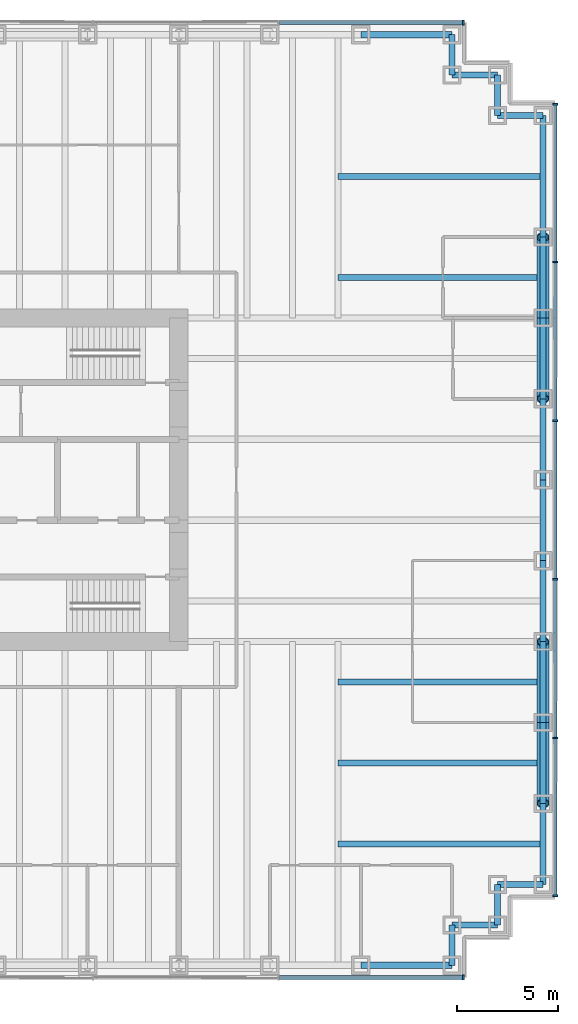
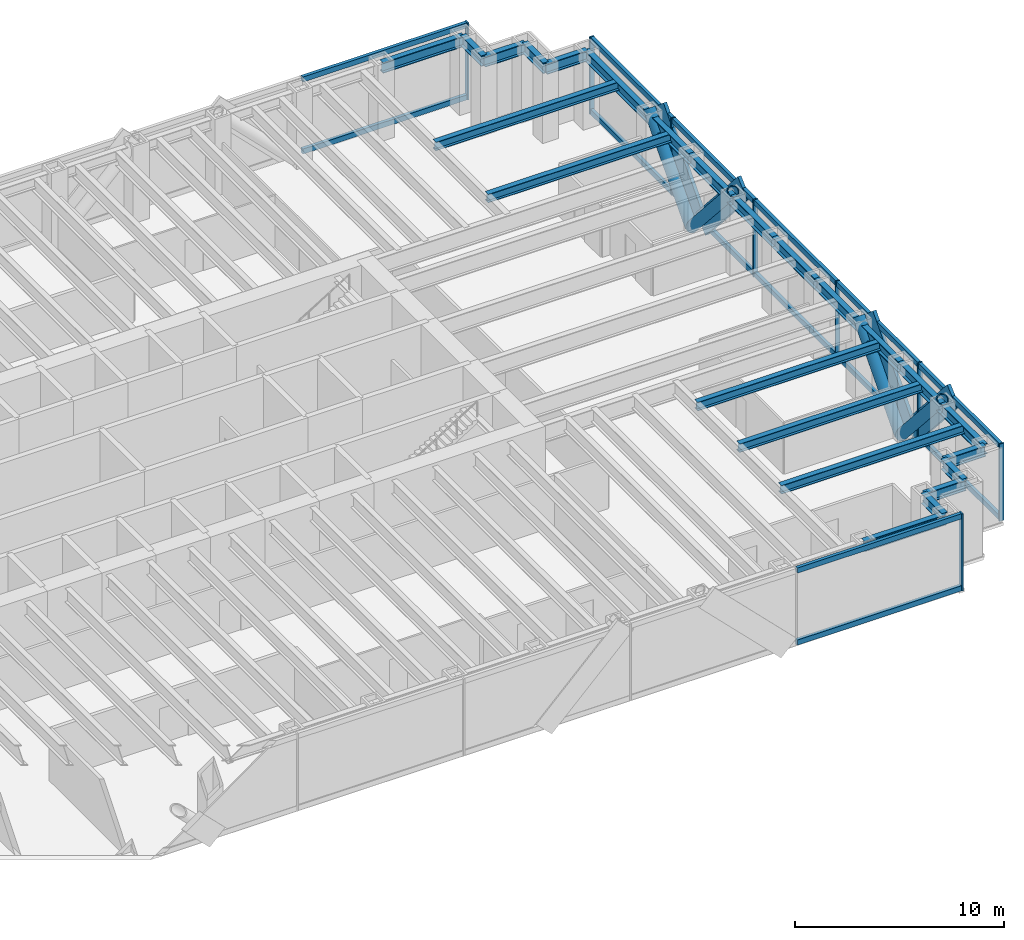
# One storey, part 7 of 13: 30 members, 24 beams, 3 elements without a shape of their own.
"""IFC4 building model written with IfcOpenShell, lengths in metres."""

from ifc_helpers import new_model, si_unit, direction, frame, origin, origin_2d, place, context, subcontext, project, spatial, rectangle, hollow_circle, i_section, extrude, material, material_profile, profile_set, type_object, element, aggregate, save


model = new_model("IFC4")

# Units and contexts
model_context = context("Model", 3, precision=1e-05, world=origin(), true_north=direction((0.0, 1.0)))
body_context = subcontext(model_context, "Body", "Model", "MODEL_VIEW")
ifc_project = project(units=[si_unit("LENGTHUNIT", "METRE"), si_unit("AREAUNIT", "SQUARE_METRE"), si_unit("VOLUMEUNIT", "CUBIC_METRE"), si_unit("PLANEANGLEUNIT", "RADIAN"), si_unit("MASSUNIT", "GRAM", prefix="KILO")], contexts=[model_context])

# Site, building, storey
site_placement = place(None, origin())
site = spatial("IfcSite", under=ifc_project, at=site_placement, CompositionType="ELEMENT")
building_placement = place(site_placement, origin())
building = spatial("IfcBuilding", under=site, at=building_placement, Name="Rheinbord Bourse Tower", CompositionType="ELEMENT")
storey_placement = place(building_placement, frame((0.0, 0.0, 72.5)))
storey = spatial("IfcBuildingStorey", under=building, at=storey_placement, Name="L15", CompositionType="ELEMENT", Elevation=72.5)

# Curtain wall, members
ifc_material_1 = material(Name="Dark glass and black aluminium", Category="aluminium")
curtain_wall_type = type_object("IfcCurtainWallType", Name="CW1 DARK GLASS CURTAIN WALL", PredefinedType="USERDEFINED", material=ifc_material_1)
curtain_wall_1_placement = place(storey_placement, origin())
curtain_wall_1 = element("IfcCurtainWall", 1, at=curtain_wall_1_placement, inside=storey, type_object=curtain_wall_type, Name="Curtain wall CW1 E L15", ObjectType="UNITISED CURTAIN WALL", PredefinedType="USERDEFINED")
ifc_material_2 = material(Name="Black anodised aluminium", Category="aluminium")
ifc_material_profile_1 = material_profile(ifc_material_2, rectangle(XDim=0.179931640625, YDim=1.2099609375, at=origin_2d()), Name="CW1 DIAGONAL MULLION 1210x180")
ifc_profile_set_1 = profile_set([ifc_material_profile_1], Name="Black anodised aluminium")
member_type_1 = type_object("IfcMemberType", Name="CW1 BLACK DIAGONAL MULLION", PredefinedType="USERDEFINED", material=ifc_profile_set_1)
member_1_placement = place(storey_placement, frame((72.60009765625, 12.0, 0.0), z_axis=(0.0, -0.66436383883, 0.747409318684), x_axis=(1.0, 0.0, 0.0)))
member_1 = element("IfcMember", 2, at=member_1_placement, type_object=member_type_1, Name="CW1 diagonal mullion a", ObjectType="DIAGONAL MULLION", PredefinedType="USERDEFINED", context=body_context, shape_type="SweptSolid", body=[
    extrude(rectangle(XDim=0.179931640625, YDim=1.2099609375, at=origin_2d()), origin(), (0.0, 0.0, 1.0), 6.020751953125),
])
member_2_placement = place(storey_placement, frame((72.60009765625, 32.0, 0.0), z_axis=(0.0, 0.66436383883, 0.747409318684), x_axis=(-1.0, 0.0, 0.0)))
member_2 = element("IfcMember", 3, at=member_2_placement, type_object=member_type_1, Name="CW1 diagonal mullion b", ObjectType="DIAGONAL MULLION", PredefinedType="USERDEFINED", context=body_context, shape_type="SweptSolid", body=[
    extrude(rectangle(XDim=0.179931640625, YDim=1.2099609375, at=origin_2d()), origin(), (0.0, 0.0, 1.0), 6.020751953125),
])
member_3_placement = place(storey_placement, frame((72.60009765625, 12.0, 0.0), z_axis=(0.0, 0.66436383883, 0.747409318684), x_axis=(-1.0, 0.0, 0.0)))
member_3 = element("IfcMember", 4, at=member_3_placement, type_object=member_type_1, Name="CW1 diagonal mullion c", ObjectType="DIAGONAL MULLION", PredefinedType="USERDEFINED", context=body_context, shape_type="SweptSolid", body=[
    extrude(rectangle(XDim=0.179931640625, YDim=1.2099609375, at=origin_2d()), origin(), (0.0, 0.0, 1.0), 6.020751953125),
])
member_4_placement = place(storey_placement, frame((72.60009765625, 32.0, 0.0), z_axis=(0.0, -0.66436383883, 0.747409318684), x_axis=(1.0, 0.0, 0.0)))
member_4 = element("IfcMember", 5, at=member_4_placement, type_object=member_type_1, Name="CW1 diagonal mullion d", ObjectType="DIAGONAL MULLION", PredefinedType="USERDEFINED", context=body_context, shape_type="SweptSolid", body=[
    extrude(rectangle(XDim=0.179931640625, YDim=1.2099609375, at=origin_2d()), origin(), (0.0, 0.0, 1.0), 6.020751953125),
])

# Curtain wall, member
curtain_wall_2_placement = place(storey_placement, origin())
curtain_wall_2 = element("IfcCurtainWall", 6, at=curtain_wall_2_placement, inside=storey, type_object=curtain_wall_type, Name="Curtain wall CW1 S L15", ObjectType="UNITISED CURTAIN WALL", PredefinedType="USERDEFINED")
ifc_material_3 = material(Name="Black anodised aluminium", Category="aluminium")
ifc_material_profile_2 = material_profile(ifc_material_3, rectangle(XDim=0.25, YDim=0.080078125, at=origin_2d()), Name="CW1 MULLION 80x250")
ifc_profile_set_2 = profile_set([ifc_material_profile_2], Name="Black anodised aluminium")
member_type_2 = type_object("IfcMemberType", Name="CW1 BLACK MULLION", PredefinedType="MULLION", material=ifc_profile_set_2)
member_5_placement = place(storey_placement, frame((68.06005859375, -0.60009765625, 0.0), z_axis=(0.0, 0.0, 1.0), x_axis=(0.0, 1.0, 0.0)))
member_5 = element("IfcMember", 7, at=member_5_placement, type_object=member_type_2, Name="CW1 mullion 8", PredefinedType="MULLION", context=body_context, shape_type="SweptSolid", body=[
    extrude(rectangle(XDim=0.25, YDim=0.080078125, at=origin_2d()), origin(), (0.0, 0.0, 1.0), 4.5),
])

# Member
member_6_placement = place(storey_placement, frame((72.60009765625, 3.43994140625, 0.0), z_axis=(0.0, 0.0, 1.0), x_axis=(-1.0, 0.0, 0.0)))
member_6 = element("IfcMember", 8, at=member_6_placement, type_object=member_type_2, Name="CW1 mullion 1", PredefinedType="MULLION", context=body_context, shape_type="SweptSolid", body=[
    extrude(rectangle(XDim=0.25, YDim=0.080078125, at=origin_2d()), origin(), (0.0, 0.0, 1.0), 4.5),
])

member_7_placement = place(storey_placement, frame((72.60009765625, 11.239990234375, 0.0), z_axis=(0.0, 0.0, 1.0), x_axis=(-1.0, 0.0, 0.0)))
member_7 = element("IfcMember", 9, at=member_7_placement, type_object=member_type_2, Name="CW1 mullion 2", PredefinedType="MULLION", context=body_context, shape_type="SweptSolid", body=[
    extrude(rectangle(XDim=0.25, YDim=0.080078125, at=origin_2d()), origin(), (0.0, 0.0, 1.0), 4.5),
])

member_8_placement = place(storey_placement, frame((72.60009765625, 19.080078125, 0.0), z_axis=(0.0, 0.0, 1.0), x_axis=(-1.0, 0.0, 0.0)))
member_8 = element("IfcMember", 10, at=member_8_placement, type_object=member_type_2, Name="CW1 mullion 3", PredefinedType="MULLION", context=body_context, shape_type="SweptSolid", body=[
    extrude(rectangle(XDim=0.25, YDim=0.080078125, at=origin_2d()), origin(), (0.0, 0.0, 1.0), 4.5),
])

member_9_placement = place(storey_placement, frame((72.60009765625, 26.919921875, 0.0), z_axis=(0.0, 0.0, 1.0), x_axis=(-1.0, 0.0, 0.0)))
member_9 = element("IfcMember", 11, at=member_9_placement, type_object=member_type_2, Name="CW1 mullion 4", PredefinedType="MULLION", context=body_context, shape_type="SweptSolid", body=[
    extrude(rectangle(XDim=0.25, YDim=0.080078125, at=origin_2d()), origin(), (0.0, 0.0, 1.0), 4.5),
])

member_10_placement = place(storey_placement, frame((72.60009765625, 34.760009765625, 0.0), z_axis=(0.0, 0.0, 1.0), x_axis=(-1.0, 0.0, 0.0)))
member_10 = element("IfcMember", 12, at=member_10_placement, type_object=member_type_2, Name="CW1 mullion 5", PredefinedType="MULLION", context=body_context, shape_type="SweptSolid", body=[
    extrude(rectangle(XDim=0.25, YDim=0.080078125, at=origin_2d()), origin(), (0.0, 0.0, 1.0), 4.5),
])

member_11_placement = place(storey_placement, frame((72.60009765625, 42.56005859375, 0.0), z_axis=(0.0, 0.0, 1.0), x_axis=(-1.0, 0.0, 0.0)))
member_11 = element("IfcMember", 13, at=member_11_placement, type_object=member_type_2, Name="CW1 mullion 6", PredefinedType="MULLION", context=body_context, shape_type="SweptSolid", body=[
    extrude(rectangle(XDim=0.25, YDim=0.080078125, at=origin_2d()), origin(), (0.0, 0.0, 1.0), 4.5),
])

# Curtain wall, member
curtain_wall_3_placement = place(storey_placement, origin())
curtain_wall_3 = element("IfcCurtainWall", 14, at=curtain_wall_3_placement, inside=storey, type_object=curtain_wall_type, Name="Curtain wall CW1 N L15", ObjectType="UNITISED CURTAIN WALL", PredefinedType="USERDEFINED")
member_12_placement = place(storey_placement, frame((68.06005859375, 46.60009765625, 0.0), z_axis=(0.0, 0.0, 1.0), x_axis=(0.0, -1.0, 0.0)))
member_12 = element("IfcMember", 15, at=member_12_placement, type_object=member_type_2, Name="CW1 mullion 1", PredefinedType="MULLION", context=body_context, shape_type="SweptSolid", body=[
    extrude(rectangle(XDim=0.25, YDim=0.080078125, at=origin_2d()), origin(), (0.0, 0.0, 1.0), 4.5),
])

# Member
ifc_material_4 = material(Name="Black anodised aluminium", Category="aluminium")
ifc_material_profile_3 = material_profile(ifc_material_4, rectangle(XDim=0.179931640625, YDim=0.300048828125, at=origin_2d()), Name="CW1 TRANSOM 300x180")
ifc_profile_set_3 = profile_set([ifc_material_profile_3], Name="Black anodised aluminium")
member_type_3 = type_object("IfcMemberType", Name="CW1 BLACK TRANSOM", PredefinedType="USERDEFINED", material=ifc_profile_set_3)
member_13_placement = place(storey_placement, frame((58.968505859375, -0.60009765625, 0.14990234375), z_axis=(1.0, 0.0, 0.0), x_axis=(0.0, 1.0, 0.0)))
member_13 = element("IfcMember", 16, at=member_13_placement, type_object=member_type_3, Name="CW1 transom 7.1", ObjectType="TRANSOM", PredefinedType="USERDEFINED", context=body_context, shape_type="SweptSolid", body=[
    extrude(rectangle(XDim=0.179931640625, YDim=0.300048828125, at=origin_2d()), origin(), (0.0, 0.0, 1.0), 9.051513671875),
])

member_14_placement = place(storey_placement, frame((58.968505859375, -0.60009765625, 4.35009765625), z_axis=(1.0, 0.0, 0.0), x_axis=(0.0, 1.0, 0.0)))
member_14 = element("IfcMember", 17, at=member_14_placement, type_object=member_type_3, Name="CW1 transom 7.2", ObjectType="TRANSOM", PredefinedType="USERDEFINED", context=body_context, shape_type="SweptSolid", body=[
    extrude(rectangle(XDim=0.179931640625, YDim=0.300048828125, at=origin_2d()), origin(), (0.0, 0.0, 1.0), 9.051513671875),
])

aggregate(curtain_wall_2, [member_5, member_13, member_14])

member_15_placement = place(storey_placement, frame((72.60009765625, 3.47998046875, 0.14990234375), z_axis=(0.0, 1.0, 0.0), x_axis=(-1.0, 0.0, 0.0)))
member_15 = element("IfcMember", 18, at=member_15_placement, type_object=member_type_3, Name="CW1 transom 1.1", ObjectType="TRANSOM", PredefinedType="USERDEFINED", context=body_context, shape_type="SweptSolid", body=[
    extrude(rectangle(XDim=0.179931640625, YDim=0.300048828125, at=origin_2d()), origin(), (0.0, 0.0, 1.0), 7.719970703125),
])

member_16_placement = place(storey_placement, frame((72.60009765625, 3.47998046875, 4.35009765625), z_axis=(0.0, 1.0, 0.0), x_axis=(-1.0, 0.0, 0.0)))
member_16 = element("IfcMember", 19, at=member_16_placement, type_object=member_type_3, Name="CW1 transom 1.2", ObjectType="TRANSOM", PredefinedType="USERDEFINED", context=body_context, shape_type="SweptSolid", body=[
    extrude(rectangle(XDim=0.179931640625, YDim=0.300048828125, at=origin_2d()), origin(), (0.0, 0.0, 1.0), 7.719970703125),
])

member_17_placement = place(storey_placement, frame((72.60009765625, 11.280029296875, 0.14990234375), z_axis=(0.0, 1.0, 0.0), x_axis=(-1.0, 0.0, 0.0)))
member_17 = element("IfcMember", 20, at=member_17_placement, type_object=member_type_3, Name="CW1 transom 2.1", ObjectType="TRANSOM", PredefinedType="USERDEFINED", context=body_context, shape_type="SweptSolid", body=[
    extrude(rectangle(XDim=0.179931640625, YDim=0.300048828125, at=origin_2d()), origin(), (0.0, 0.0, 1.0), 7.760009765625),
])

member_18_placement = place(storey_placement, frame((72.60009765625, 11.280029296875, 4.35009765625), z_axis=(0.0, 1.0, 0.0), x_axis=(-1.0, 0.0, 0.0)))
member_18 = element("IfcMember", 21, at=member_18_placement, type_object=member_type_3, Name="CW1 transom 2.2", ObjectType="TRANSOM", PredefinedType="USERDEFINED", context=body_context, shape_type="SweptSolid", body=[
    extrude(rectangle(XDim=0.179931640625, YDim=0.300048828125, at=origin_2d()), origin(), (0.0, 0.0, 1.0), 7.760009765625),
])

member_19_placement = place(storey_placement, frame((72.60009765625, 19.1201171875, 0.14990234375), z_axis=(0.0, 1.0, 0.0), x_axis=(-1.0, 0.0, 0.0)))
member_19 = element("IfcMember", 22, at=member_19_placement, type_object=member_type_3, Name="CW1 transom 3.1", ObjectType="TRANSOM", PredefinedType="USERDEFINED", context=body_context, shape_type="SweptSolid", body=[
    extrude(rectangle(XDim=0.179931640625, YDim=0.300048828125, at=origin_2d()), origin(), (0.0, 0.0, 1.0), 7.759765625),
])

member_20_placement = place(storey_placement, frame((72.60009765625, 19.1201171875, 4.35009765625), z_axis=(0.0, 1.0, 0.0), x_axis=(-1.0, 0.0, 0.0)))
member_20 = element("IfcMember", 23, at=member_20_placement, type_object=member_type_3, Name="CW1 transom 3.2", ObjectType="TRANSOM", PredefinedType="USERDEFINED", context=body_context, shape_type="SweptSolid", body=[
    extrude(rectangle(XDim=0.179931640625, YDim=0.300048828125, at=origin_2d()), origin(), (0.0, 0.0, 1.0), 7.759765625),
])

member_21_placement = place(storey_placement, frame((72.60009765625, 26.9599609375, 0.14990234375), z_axis=(0.0, 1.0, 0.0), x_axis=(-1.0, 0.0, 0.0)))
member_21 = element("IfcMember", 24, at=member_21_placement, type_object=member_type_3, Name="CW1 transom 4.1", ObjectType="TRANSOM", PredefinedType="USERDEFINED", context=body_context, shape_type="SweptSolid", body=[
    extrude(rectangle(XDim=0.179931640625, YDim=0.300048828125, at=origin_2d()), origin(), (0.0, 0.0, 1.0), 7.760009765625),
])

member_22_placement = place(storey_placement, frame((72.60009765625, 26.9599609375, 4.35009765625), z_axis=(0.0, 1.0, 0.0), x_axis=(-1.0, 0.0, 0.0)))
member_22 = element("IfcMember", 25, at=member_22_placement, type_object=member_type_3, Name="CW1 transom 4.2", ObjectType="TRANSOM", PredefinedType="USERDEFINED", context=body_context, shape_type="SweptSolid", body=[
    extrude(rectangle(XDim=0.179931640625, YDim=0.300048828125, at=origin_2d()), origin(), (0.0, 0.0, 1.0), 7.760009765625),
])

member_23_placement = place(storey_placement, frame((72.60009765625, 34.800048828125, 0.14990234375), z_axis=(0.0, 1.0, 0.0), x_axis=(-1.0, 0.0, 0.0)))
member_23 = element("IfcMember", 26, at=member_23_placement, type_object=member_type_3, Name="CW1 transom 5.1", ObjectType="TRANSOM", PredefinedType="USERDEFINED", context=body_context, shape_type="SweptSolid", body=[
    extrude(rectangle(XDim=0.179931640625, YDim=0.300048828125, at=origin_2d()), origin(), (0.0, 0.0, 1.0), 7.719970703125),
])

member_24_placement = place(storey_placement, frame((72.60009765625, 34.800048828125, 4.35009765625), z_axis=(0.0, 1.0, 0.0), x_axis=(-1.0, 0.0, 0.0)))
member_24 = element("IfcMember", 27, at=member_24_placement, type_object=member_type_3, Name="CW1 transom 5.2", ObjectType="TRANSOM", PredefinedType="USERDEFINED", context=body_context, shape_type="SweptSolid", body=[
    extrude(rectangle(XDim=0.179931640625, YDim=0.300048828125, at=origin_2d()), origin(), (0.0, 0.0, 1.0), 7.719970703125),
])

aggregate(curtain_wall_1, [member_6, member_7, member_8, member_9, member_10, member_11, member_15, member_16, member_17, member_18, member_19, member_20, member_21, member_22, member_23, member_24, member_1, member_2, member_3, member_4])

member_25_placement = place(storey_placement, frame((68.02001953125, 46.60009765625, 0.14990234375), z_axis=(-1.0, 0.0, 0.0), x_axis=(0.0, -1.0, 0.0)))
member_25 = element("IfcMember", 28, at=member_25_placement, type_object=member_type_3, Name="CW1 transom 1.1", ObjectType="TRANSOM", PredefinedType="USERDEFINED", context=body_context, shape_type="SweptSolid", body=[
    extrude(rectangle(XDim=0.179931640625, YDim=0.300048828125, at=origin_2d()), origin(), (0.0, 0.0, 1.0), 9.051513671875),
])

member_26_placement = place(storey_placement, frame((68.02001953125, 46.60009765625, 4.35009765625), z_axis=(-1.0, 0.0, 0.0), x_axis=(0.0, -1.0, 0.0)))
member_26 = element("IfcMember", 29, at=member_26_placement, type_object=member_type_3, Name="CW1 transom 1.2", ObjectType="TRANSOM", PredefinedType="USERDEFINED", context=body_context, shape_type="SweptSolid", body=[
    extrude(rectangle(XDim=0.179931640625, YDim=0.300048828125, at=origin_2d()), origin(), (0.0, 0.0, 1.0), 9.051513671875),
])

aggregate(curtain_wall_3, [member_12, member_25, member_26])

# Members
ifc_material_5 = material(Name="Steel S460", Category="steel")
ifc_material_profile_4 = material_profile(ifc_material_5, hollow_circle(Radius=0.304931640625, WallThickness=0.050048828125, at=origin_2d()), Name="CHS 610x50")
ifc_profile_set_4 = profile_set([ifc_material_profile_4], Name="Steel S460")
member_type_4 = type_object("IfcMemberType", Name="MEGABRACE CHS 610x50", PredefinedType="BRACE", material=ifc_profile_set_4)
for number, where, z_axis, x_axis, name in (
    (30, (72.0, 12.0, 0.0), (0.0, -0.66436383883, 0.747409318684), (1.0, 0.0, 0.0), "Megabrace E face line a L15"),
    (31, (72.0, 32.0, 0.0), (0.0, 0.66436383883, 0.747409318684), (-1.0, 0.0, 0.0), "Megabrace E face line b L15"),
    (32, (72.0, 12.0, 0.0), (0.0, 0.66436383883, 0.747409318684), (-1.0, 0.0, 0.0), "Megabrace E face line c L15"),
    (33, (72.0, 32.0, 0.0), (0.0, -0.66436383883, 0.747409318684), (1.0, 0.0, 0.0), "Megabrace E face line d L15"),
):
    element("IfcMember", number, at=place(storey_placement, frame(where, z_axis=z_axis, x_axis=x_axis)), inside=storey, type_object=member_type_4, Name=name, PredefinedType="BRACE", context=body_context, shape_type="SweptSolid", body=[
        extrude(hollow_circle(Radius=0.304931640625, WallThickness=0.050048828125, at=origin_2d()), origin(), (0.0, 0.0, 1.0), 6.020751953125),
    ])

# Beams
ifc_material_6 = material(Name="Steel S460", Category="steel")
ifc_material_profile_5 = material_profile(ifc_material_6, i_section(OverallWidth=0.304931640625, OverallDepth=0.6201171875, WebThickness=0.02099609375, FlangeThickness=0.0400390625, at=origin_2d()), Name="HEM 600")
ifc_profile_set_5 = profile_set([ifc_material_profile_5], Name="Steel S460")
beam_type_1 = type_object("IfcBeamType", Name="SPANDREL HEM 600", PredefinedType="SPANDREL", material=ifc_profile_set_5)
beam_1_placement = place(storey_placement, frame((63.0, 0.0, 4.010009765625), z_axis=(1.0, 0.0, 0.0), x_axis=(0.0, 1.0, 0.0)))
element("IfcBeam", 34, at=beam_1_placement, inside=storey, type_object=beam_type_1, Name="Spandrel S-63-SE-E under L16", PredefinedType="SPANDREL", context=body_context, shape_type="SweptSolid", body=[
    extrude(i_section(OverallWidth=0.304931640625, OverallDepth=0.6201171875, WebThickness=0.02099609375, FlangeThickness=0.0400390625, at=origin_2d()), origin(), (0.0, 0.0, 1.0), 4.5),
])
beam_2_placement = place(storey_placement, frame((67.5, 0.0, 4.010009765625), z_axis=(0.0, 1.0, 0.0), x_axis=(-1.0, 0.0, 0.0)))
element("IfcBeam", 35, at=beam_2_placement, inside=storey, type_object=beam_type_1, Name="Spandrel SE-E-SE-D under L16", PredefinedType="SPANDREL", context=body_context, shape_type="SweptSolid", body=[
    extrude(i_section(OverallWidth=0.304931640625, OverallDepth=0.6201171875, WebThickness=0.02099609375, FlangeThickness=0.0400390625, at=origin_2d()), origin(), (0.0, 0.0, 1.0), 2.0),
])
beam_3_placement = place(storey_placement, frame((67.5, 2.0, 4.010009765625), z_axis=(1.0, 0.0, 0.0), x_axis=(0.0, 1.0, 0.0)))
element("IfcBeam", 36, at=beam_3_placement, inside=storey, type_object=beam_type_1, Name="Spandrel SE-D-SE-C under L16", PredefinedType="SPANDREL", context=body_context, shape_type="SweptSolid", body=[
    extrude(i_section(OverallWidth=0.304931640625, OverallDepth=0.6201171875, WebThickness=0.02099609375, FlangeThickness=0.0400390625, at=origin_2d()), origin(), (0.0, 0.0, 1.0), 2.25),
])
beam_4_placement = place(storey_placement, frame((69.75, 2.0, 4.010009765625), z_axis=(0.0, 1.0, 0.0), x_axis=(-1.0, 0.0, 0.0)))
element("IfcBeam", 37, at=beam_4_placement, inside=storey, type_object=beam_type_1, Name="Spandrel SE-C-SE-B under L16", PredefinedType="SPANDREL", context=body_context, shape_type="SweptSolid", body=[
    extrude(i_section(OverallWidth=0.304931640625, OverallDepth=0.6201171875, WebThickness=0.02099609375, FlangeThickness=0.0400390625, at=origin_2d()), origin(), (0.0, 0.0, 1.0), 2.0),
])
beam_5_placement = place(storey_placement, frame((69.75, 4.0, 4.010009765625), z_axis=(1.0, 0.0, 0.0), x_axis=(0.0, 1.0, 0.0)))
element("IfcBeam", 38, at=beam_5_placement, inside=storey, type_object=beam_type_1, Name="Spandrel SE-B-SE-A under L16", PredefinedType="SPANDREL", context=body_context, shape_type="SweptSolid", body=[
    extrude(i_section(OverallWidth=0.304931640625, OverallDepth=0.6201171875, WebThickness=0.02099609375, FlangeThickness=0.0400390625, at=origin_2d()), origin(), (0.0, 0.0, 1.0), 2.25),
])
for number, where, z_axis, x_axis, name in (
    (39, (72.0, 4.0, 4.010009765625), (0.0, 1.0, 0.0), (-1.0, 0.0, 0.0), "Spandrel SE-A-E-8 under L16"),
    (40, (72.0, 8.0, 4.010009765625), (0.0, 1.0, 0.0), (-1.0, 0.0, 0.0), "Spandrel E-8-E-12 under L16"),
    (41, (72.0, 12.0, 4.010009765625), (0.0, 1.0, 0.0), (-1.0, 0.0, 0.0), "Spandrel E-12-E-16 under L16"),
    (42, (72.0, 16.0, 4.010009765625), (0.0, 1.0, 0.0), (-1.0, 0.0, 0.0), "Spandrel E-16-E-20 under L16"),
    (43, (72.0, 20.0, 4.010009765625), (0.0, 1.0, 0.0), (-1.0, 0.0, 0.0), "Spandrel E-20-E-24 under L16"),
    (44, (72.0, 24.0, 4.010009765625), (0.0, 1.0, 0.0), (-1.0, 0.0, 0.0), "Spandrel E-24-E-28 under L16"),
    (45, (72.0, 28.0, 4.010009765625), (0.0, 1.0, 0.0), (-1.0, 0.0, 0.0), "Spandrel E-28-E-32 under L16"),
    (46, (72.0, 32.0, 4.010009765625), (0.0, 1.0, 0.0), (-1.0, 0.0, 0.0), "Spandrel E-32-E-36 under L16"),
):
    element("IfcBeam", number, at=place(storey_placement, frame(where, z_axis=z_axis, x_axis=x_axis)), inside=storey, type_object=beam_type_1, Name=name, PredefinedType="SPANDREL", context=body_context, shape_type="SweptSolid", body=[
        extrude(i_section(OverallWidth=0.304931640625, OverallDepth=0.6201171875, WebThickness=0.02099609375, FlangeThickness=0.0400390625, at=origin_2d()), origin(), (0.0, 0.0, 1.0), 4.0),
    ])
beam_6_placement = place(storey_placement, frame((72.0, 36.0, 4.010009765625), z_axis=(0.0, 1.0, 0.0), x_axis=(-1.0, 0.0, 0.0)))
element("IfcBeam", 47, at=beam_6_placement, inside=storey, type_object=beam_type_1, Name="Spandrel E-36-NE-A under L16", PredefinedType="SPANDREL", context=body_context, shape_type="SweptSolid", body=[
    extrude(i_section(OverallWidth=0.304931640625, OverallDepth=0.6201171875, WebThickness=0.02099609375, FlangeThickness=0.0400390625, at=origin_2d()), origin(), (0.0, 0.0, 1.0), 6.0),
])
beam_7_placement = place(storey_placement, frame((72.0, 42.0, 4.010009765625), z_axis=(-1.0, 0.0, 0.0), x_axis=(0.0, -1.0, 0.0)))
element("IfcBeam", 48, at=beam_7_placement, inside=storey, type_object=beam_type_1, Name="Spandrel NE-A-NE-B under L16", PredefinedType="SPANDREL", context=body_context, shape_type="SweptSolid", body=[
    extrude(i_section(OverallWidth=0.304931640625, OverallDepth=0.6201171875, WebThickness=0.02099609375, FlangeThickness=0.0400390625, at=origin_2d()), origin(), (0.0, 0.0, 1.0), 2.25),
])
beam_8_placement = place(storey_placement, frame((69.75, 42.0, 4.010009765625), z_axis=(0.0, 1.0, 0.0), x_axis=(-1.0, 0.0, 0.0)))
element("IfcBeam", 49, at=beam_8_placement, inside=storey, type_object=beam_type_1, Name="Spandrel NE-B-NE-C under L16", PredefinedType="SPANDREL", context=body_context, shape_type="SweptSolid", body=[
    extrude(i_section(OverallWidth=0.304931640625, OverallDepth=0.6201171875, WebThickness=0.02099609375, FlangeThickness=0.0400390625, at=origin_2d()), origin(), (0.0, 0.0, 1.0), 2.0),
])
beam_9_placement = place(storey_placement, frame((69.75, 44.0, 4.010009765625), z_axis=(-1.0, 0.0, 0.0), x_axis=(0.0, -1.0, 0.0)))
element("IfcBeam", 50, at=beam_9_placement, inside=storey, type_object=beam_type_1, Name="Spandrel NE-C-NE-D under L16", PredefinedType="SPANDREL", context=body_context, shape_type="SweptSolid", body=[
    extrude(i_section(OverallWidth=0.304931640625, OverallDepth=0.6201171875, WebThickness=0.02099609375, FlangeThickness=0.0400390625, at=origin_2d()), origin(), (0.0, 0.0, 1.0), 2.25),
])
beam_10_placement = place(storey_placement, frame((67.5, 44.0, 4.010009765625), z_axis=(0.0, 1.0, 0.0), x_axis=(-1.0, 0.0, 0.0)))
element("IfcBeam", 51, at=beam_10_placement, inside=storey, type_object=beam_type_1, Name="Spandrel NE-D-NE-E under L16", PredefinedType="SPANDREL", context=body_context, shape_type="SweptSolid", body=[
    extrude(i_section(OverallWidth=0.304931640625, OverallDepth=0.6201171875, WebThickness=0.02099609375, FlangeThickness=0.0400390625, at=origin_2d()), origin(), (0.0, 0.0, 1.0), 2.0),
])
beam_11_placement = place(storey_placement, frame((67.5, 46.0, 4.010009765625), z_axis=(-1.0, 0.0, 0.0), x_axis=(0.0, -1.0, 0.0)))
element("IfcBeam", 52, at=beam_11_placement, inside=storey, type_object=beam_type_1, Name="Spandrel NE-E-N-63 under L16", PredefinedType="SPANDREL", context=body_context, shape_type="SweptSolid", body=[
    extrude(i_section(OverallWidth=0.304931640625, OverallDepth=0.6201171875, WebThickness=0.02099609375, FlangeThickness=0.0400390625, at=origin_2d()), origin(), (0.0, 0.0, 1.0), 4.5),
])
ifc_material_7 = material(Name="Steel S460", Category="steel")
ifc_material_profile_6 = material_profile(ifc_material_7, i_section(OverallWidth=0.300048828125, OverallDepth=0.5, WebThickness=0.014404296875, FlangeThickness=0.028076171875, at=origin_2d()), Name="HEB 500")
ifc_profile_set_6 = profile_set([ifc_material_profile_6], Name="Steel S460")
beam_type_2 = type_object("IfcBeamType", Name="TIE BEAM HEB 500", PredefinedType="JOIST", material=ifc_profile_set_6)
for number, where, z_axis, x_axis, name in (
    (53, (61.875, 6.0, 4.070068359375), (1.0, 0.0, 0.0), (0.0, 1.0, 0.0), "Tie east 6 L16"),
    (54, (61.875, 10.0, 4.070068359375), (1.0, 0.0, 0.0), (0.0, 1.0, 0.0), "Tie east 10 L16"),
    (55, (61.875, 14.0, 4.070068359375), (1.0, 0.0, 0.0), (0.0, 1.0, 0.0), "Tie east 14 L16"),
    (56, (61.875, 34.0, 4.070068359375), (1.0, 0.0, 0.0), (0.0, 1.0, 0.0), "Tie east 34 L16"),
    (57, (61.875, 39.0, 4.070068359375), (1.0, 0.0, 0.0), (0.0, 1.0, 0.0), "Tie east 39 L16"),
):
    element("IfcBeam", number, at=place(storey_placement, frame(where, z_axis=z_axis, x_axis=x_axis)), inside=storey, type_object=beam_type_2, Name=name, PredefinedType="JOIST", context=body_context, shape_type="SweptSolid", body=[
        extrude(i_section(OverallWidth=0.300048828125, OverallDepth=0.5, WebThickness=0.014404296875, FlangeThickness=0.028076171875, at=origin_2d()), origin(), (0.0, 0.0, 1.0), 10.125),
    ])

save(model, "model.ifc")
